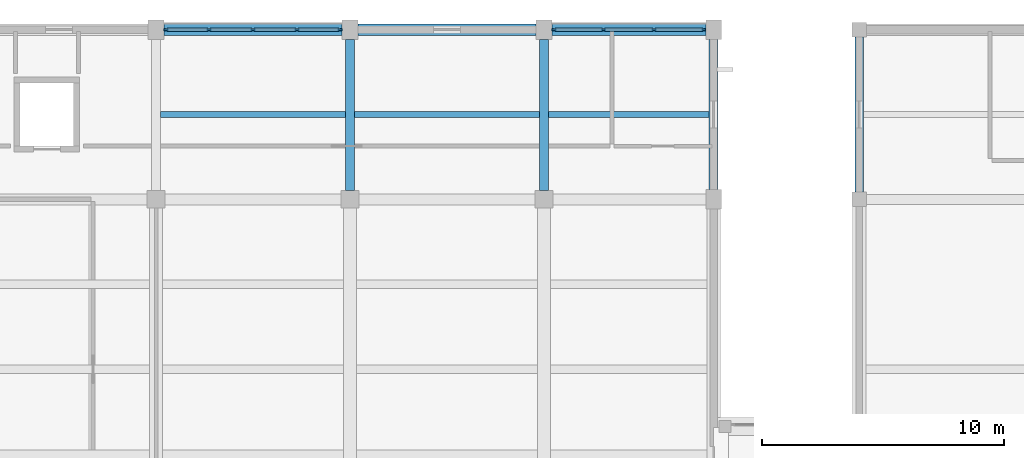
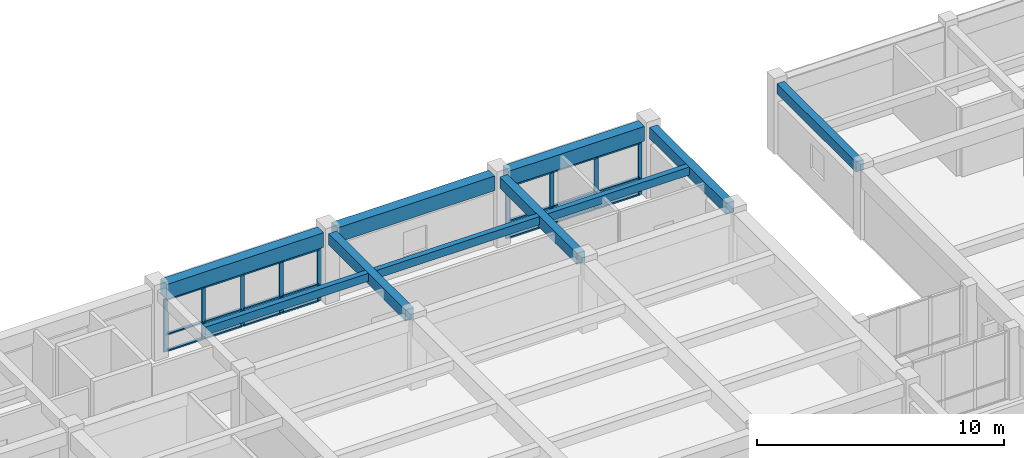
# One storey, part 15 of 42: 30 members, 10 beams, 2 elements without a shape of their own.
"""IFC4 building model written with IfcOpenShell, lengths in metres."""

from ifc_helpers import new_model, si_unit, direction, frame, origin, origin_2d, place, context, subcontext, project, spatial, rectangle, extrude, material, layer, layer_set, material_profile, profile_set, type_object, element, aggregate, save


model = new_model("IFC4")

# Units and contexts
model_context = context("Model", 3, precision=1e-05, world=origin(), true_north=direction((0.0, 1.0)))
body_context = subcontext(model_context, "Body", "Model", "MODEL_VIEW")
ifc_project = project(units=[si_unit("LENGTHUNIT", "METRE"), si_unit("AREAUNIT", "SQUARE_METRE"), si_unit("VOLUMEUNIT", "CUBIC_METRE"), si_unit("PLANEANGLEUNIT", "RADIAN"), si_unit("MASSUNIT", "GRAM", prefix="KILO")], contexts=[model_context])

# Site, building, storey
site_placement = place(None, origin())
site = spatial("IfcSite", under=ifc_project, at=site_placement, CompositionType="ELEMENT")
building_placement = place(site_placement, origin())
building = spatial("IfcBuilding", under=site, at=building_placement, Name="Naurynzar Civic Courthouse", CompositionType="ELEMENT")
storey_placement = place(building_placement, frame((0.0, 0.0, 18.300048828125)))
storey = spatial("IfcBuildingStorey", under=building, at=storey_placement, Name="L05", CompositionType="ELEMENT", Elevation=18.300048828125)

# Beams
ifc_material_1 = material(Name="Concrete C40/50", Category="concrete")
ifc_material_profile_1 = material_profile(ifc_material_1, rectangle(XDim=0.25, YDim=0.39990234375, at=origin_2d()), Name="RCB 250x400")
ifc_profile_set_1 = profile_set([ifc_material_profile_1], Name="Concrete C40/50")
beam_type_1 = type_object("IfcBeamType", Name="BM-JST-250x400", PredefinedType="JOIST", material=ifc_profile_set_1)
for number, where, z_axis, x_axis, name in (
    (1, (101.1875, 68.5, 3.27001953125), (1.0, 0.0, 0.0), (0.0, 1.0, 0.0), "V2 secondary rib 833 L05"),
    (2, (109.1875, 68.5, 3.27001953125), (1.0, 0.0, 0.0), (0.0, 1.0, 0.0), "V2 secondary rib 834 L05"),
):
    element("IfcBeam", number, at=place(storey_placement, frame(where, z_axis=z_axis, x_axis=x_axis)), inside=storey, type_object=beam_type_1, Name=name, PredefinedType="JOIST", context=body_context, shape_type="SweptSolid", body=[
        extrude(rectangle(XDim=0.25, YDim=0.39990234375, at=origin_2d()), origin(), (0.0, 0.0, 1.0), 7.625),
    ])
beam_1_placement = place(storey_placement, frame((117.1875, 68.5, 3.27001953125), z_axis=(1.0, 0.0, 0.0), x_axis=(0.0, 1.0, 0.0)))
element("IfcBeam", 3, at=beam_1_placement, inside=storey, type_object=beam_type_1, Name="V2 secondary rib 835 L05", PredefinedType="JOIST", context=body_context, shape_type="SweptSolid", body=[
    extrude(rectangle(XDim=0.25, YDim=0.39990234375, at=origin_2d()), origin(), (0.0, 0.0, 1.0), 6.625),
])
ifc_material_2 = material(Name="Concrete C40/50", Category="concrete")
ifc_material_profile_2 = material_profile(ifc_material_2, rectangle(XDim=0.35009765625, YDim=0.5, at=origin_2d()), Name="RCB 350x500")
ifc_profile_set_2 = profile_set([ifc_material_profile_2], Name="Concrete C40/50")
beam_type_2 = type_object("IfcBeamType", Name="BM-RC-350x500", PredefinedType="BEAM", material=ifc_profile_set_2)
beam_2_placement = place(storey_placement, frame((130.0, 65.300048828125, 3.219970703125), z_axis=(0.0, 1.0, 0.0), x_axis=(-1.0, 0.0, 0.0)))
element("IfcBeam", 4, at=beam_2_placement, inside=storey, type_object=beam_type_2, Name="V5 girder Y-2670 L05", PredefinedType="BEAM", context=body_context, shape_type="SweptSolid", body=[
    extrude(rectangle(XDim=0.35009765625, YDim=0.5, at=origin_2d()), origin(), (0.0, 0.0, 1.0), 6.39990234375),
])
ifc_material_3 = material(Name="Concrete C40/50", Category="concrete")
ifc_material_profile_3 = material_profile(ifc_material_3, rectangle(XDim=0.375, YDim=0.550048828125, at=origin_2d()), Name="RCB 375x550")
ifc_profile_set_3 = profile_set([ifc_material_profile_3], Name="Concrete C40/50")
beam_type_3 = type_object("IfcBeamType", Name="BM-RC-375x550", PredefinedType="BEAM", material=ifc_profile_set_3)
for number, where, z_axis, x_axis, name in (
    (5, (109.0, 65.362548828125, 3.195068359375), (0.0, 1.0, 0.0), (-1.0, 0.0, 0.0), "V2 girder Y-794 L05"),
    (6, (117.0, 65.362548828125, 3.195068359375), (0.0, 1.0, 0.0), (-1.0, 0.0, 0.0), "V2 girder Y-797 L05"),
):
    element("IfcBeam", number, at=place(storey_placement, frame(where, z_axis=z_axis, x_axis=x_axis)), inside=storey, type_object=beam_type_3, Name=name, PredefinedType="BEAM", context=body_context, shape_type="SweptSolid", body=[
        extrude(rectangle(XDim=0.375, YDim=0.550048828125, at=origin_2d()), origin(), (0.0, 0.0, 1.0), 6.237548828125),
    ])
beam_3_placement = place(storey_placement, frame((124.0, 65.39990234375, 3.195068359375), z_axis=(0.0, 1.0, 0.0), x_axis=(-1.0, 0.0, 0.0)))
element("IfcBeam", 7, at=beam_3_placement, inside=storey, type_object=beam_type_3, Name="V2 girder Y-800 L05", PredefinedType="BEAM", context=body_context, shape_type="SweptSolid", body=[
    extrude(rectangle(XDim=0.375, YDim=0.550048828125, at=origin_2d()), origin(), (0.0, 0.0, 1.0), 6.2001953125),
])
ifc_material_4 = material(Name="Concrete C40/50", Category="concrete")
ifc_material_profile_4 = material_profile(ifc_material_4, rectangle(XDim=0.47509765625, YDim=0.72509765625, at=origin_2d()), Name="RCB 475x725")
ifc_profile_set_4 = profile_set([ifc_material_profile_4], Name="Concrete C40/50")
beam_type_4 = type_object("IfcBeamType", Name="BM-RC-475x725", PredefinedType="SPANDREL", material=ifc_profile_set_4)
for number, where, z_axis, x_axis, name in (
    (8, (101.324951171875, 72.0, 3.107421875), (1.0, 0.0, 0.0), (0.0, 1.0, 0.0), "V2 beam X-771 L05"),
    (9, (109.324951171875, 72.0, 3.107421875), (1.0, 0.0, 0.0), (0.0, 1.0, 0.0), "V2 beam X-772 L05"),
):
    element("IfcBeam", number, at=place(storey_placement, frame(where, z_axis=z_axis, x_axis=x_axis)), inside=storey, type_object=beam_type_4, Name=name, PredefinedType="SPANDREL", context=body_context, shape_type="SweptSolid", body=[
        extrude(rectangle(XDim=0.47509765625, YDim=0.72509765625, at=origin_2d()), origin(), (0.0, 0.0, 1.0), 7.35009765625),
    ])
beam_4_placement = place(storey_placement, frame((117.324951171875, 72.0, 3.107421875), z_axis=(1.0, 0.0, 0.0), x_axis=(0.0, 1.0, 0.0)))
element("IfcBeam", 10, at=beam_4_placement, inside=storey, type_object=beam_type_4, Name="V2 beam X-773 L05", PredefinedType="SPANDREL", context=body_context, shape_type="SweptSolid", body=[
    extrude(rectangle(XDim=0.47509765625, YDim=0.72509765625, at=origin_2d()), origin(), (0.0, 0.0, 1.0), 6.35009765625),
])

# Curtain wall, members
ifc_material_5 = material(Name="Aluminium 6063-T6", Category="aluminium")
ifc_layer = layer(ifc_material_5, 0.159912109375)
ifc_layer_set = layer_set([ifc_layer], Name="CW-UNIT-1800")
curtain_wall_type = type_object("IfcCurtainWallType", Name="CW-UNIT-1800", PredefinedType="NOTDEFINED", material=ifc_layer_set)
curtain_wall_1_placement = place(storey_placement, origin())
curtain_wall_1 = element("IfcCurtainWall", 11, at=curtain_wall_1_placement, inside=storey, type_object=curtain_wall_type, Name="V2 unitised curtain wall 38 L05", PredefinedType="NOTDEFINED")
ifc_material_6 = material(Name="Aluminium 6063-T6", Category="aluminium")
ifc_material_profile_5 = material_profile(ifc_material_6, rectangle(XDim=0.070068359375, YDim=0.179931640625, at=origin_2d()), Name="ALU MULLION 70x180")
ifc_profile_set_5 = profile_set([ifc_material_profile_5], Name="Aluminium 6063-T6")
member_type_1 = type_object("IfcMemberType", Name="CWM-70x180", PredefinedType="MULLION", material=ifc_profile_set_5)
member_1_placement = place(storey_placement, frame((101.409912109375, 72.0, 0.0), z_axis=(0.0, 0.0, 1.0), x_axis=(0.0, 1.0, 0.0)))
member_1 = element("IfcMember", 12, at=member_1_placement, type_object=member_type_1, Name="CW-02 mullion 1", PredefinedType="MULLION", context=body_context, shape_type="SweptSolid", body=[
    extrude(rectangle(XDim=0.070068359375, YDim=0.179931640625, at=origin_2d()), origin(), (0.0, 0.0, 1.0), 2.599853515625),
])
member_2_placement = place(storey_placement, frame((103.1875, 72.0, 0.0), z_axis=(0.0, 0.0, 1.0), x_axis=(0.0, 1.0, 0.0)))
member_2 = element("IfcMember", 13, at=member_2_placement, type_object=member_type_1, Name="CW-02 mullion 2", PredefinedType="MULLION", context=body_context, shape_type="SweptSolid", body=[
    extrude(rectangle(XDim=0.070068359375, YDim=0.179931640625, at=origin_2d()), origin(), (0.0, 0.0, 1.0), 2.599853515625),
])
member_3_placement = place(storey_placement, frame((105.0, 72.0, 0.0), z_axis=(0.0, 0.0, 1.0), x_axis=(0.0, 1.0, 0.0)))
member_3 = element("IfcMember", 14, at=member_3_placement, type_object=member_type_1, Name="CW-02 mullion 3", PredefinedType="MULLION", context=body_context, shape_type="SweptSolid", body=[
    extrude(rectangle(XDim=0.070068359375, YDim=0.179931640625, at=origin_2d()), origin(), (0.0, 0.0, 1.0), 2.599853515625),
])
member_4_placement = place(storey_placement, frame((106.8125, 72.0, 0.0), z_axis=(0.0, 0.0, 1.0), x_axis=(0.0, 1.0, 0.0)))
member_4 = element("IfcMember", 15, at=member_4_placement, type_object=member_type_1, Name="CW-02 mullion 4", PredefinedType="MULLION", context=body_context, shape_type="SweptSolid", body=[
    extrude(rectangle(XDim=0.070068359375, YDim=0.179931640625, at=origin_2d()), origin(), (0.0, 0.0, 1.0), 2.599853515625),
])
member_5_placement = place(storey_placement, frame((108.590087890625, 72.0, 0.0), z_axis=(0.0, 0.0, 1.0), x_axis=(0.0, 1.0, 0.0)))
member_5 = element("IfcMember", 16, at=member_5_placement, type_object=member_type_1, Name="CW-02 mullion 5", PredefinedType="MULLION", context=body_context, shape_type="SweptSolid", body=[
    extrude(rectangle(XDim=0.070068359375, YDim=0.179931640625, at=origin_2d()), origin(), (0.0, 0.0, 1.0), 2.599853515625),
])

curtain_wall_2_placement = place(storey_placement, origin())
curtain_wall_2 = element("IfcCurtainWall", 17, at=curtain_wall_2_placement, inside=storey, type_object=curtain_wall_type, Name="V2 unitised curtain wall 39 L05", PredefinedType="NOTDEFINED")
member_6_placement = place(storey_placement, frame((117.409912109375, 72.0, 0.0), z_axis=(0.0, 0.0, 1.0), x_axis=(0.0, 1.0, 0.0)))
member_6 = element("IfcMember", 18, at=member_6_placement, type_object=member_type_1, Name="CW-02 mullion 1", PredefinedType="MULLION", context=body_context, shape_type="SweptSolid", body=[
    extrude(rectangle(XDim=0.070068359375, YDim=0.179931640625, at=origin_2d()), origin(), (0.0, 0.0, 1.0), 2.599853515625),
])
member_7_placement = place(storey_placement, frame((119.458251953125, 72.0, 0.0), z_axis=(0.0, 0.0, 1.0), x_axis=(0.0, 1.0, 0.0)))
member_7 = element("IfcMember", 19, at=member_7_placement, type_object=member_type_1, Name="CW-02 mullion 2", PredefinedType="MULLION", context=body_context, shape_type="SweptSolid", body=[
    extrude(rectangle(XDim=0.070068359375, YDim=0.179931640625, at=origin_2d()), origin(), (0.0, 0.0, 1.0), 2.599853515625),
])
member_8_placement = place(storey_placement, frame((121.541748046875, 72.0, 0.0), z_axis=(0.0, 0.0, 1.0), x_axis=(0.0, 1.0, 0.0)))
member_8 = element("IfcMember", 20, at=member_8_placement, type_object=member_type_1, Name="CW-02 mullion 3", PredefinedType="MULLION", context=body_context, shape_type="SweptSolid", body=[
    extrude(rectangle(XDim=0.070068359375, YDim=0.179931640625, at=origin_2d()), origin(), (0.0, 0.0, 1.0), 2.599853515625),
])
member_9_placement = place(storey_placement, frame((123.590087890625, 72.0, 0.0), z_axis=(0.0, 0.0, 1.0), x_axis=(0.0, 1.0, 0.0)))
member_9 = element("IfcMember", 21, at=member_9_placement, type_object=member_type_1, Name="CW-02 mullion 4", PredefinedType="MULLION", context=body_context, shape_type="SweptSolid", body=[
    extrude(rectangle(XDim=0.070068359375, YDim=0.179931640625, at=origin_2d()), origin(), (0.0, 0.0, 1.0), 2.599853515625),
])

# Member
ifc_material_7 = material(Name="Aluminium 6063-T6", Category="aluminium")
ifc_material_profile_6 = material_profile(ifc_material_7, rectangle(XDim=0.1298828125, YDim=0.070068359375, at=origin_2d()), Name="ALU TRANSOM 70x130")
ifc_profile_set_6 = profile_set([ifc_material_profile_6], Name="Aluminium 6063-T6")
member_type_2 = type_object("IfcMemberType", Name="CWT-70x130", PredefinedType="USERDEFINED", material=ifc_profile_set_6)
member_10_placement = place(storey_placement, frame((101.445068359375, 72.0, 0.034912109375), z_axis=(1.0, 0.0, 0.0), x_axis=(0.0, 1.0, 0.0)))
member_10 = element("IfcMember", 22, at=member_10_placement, type_object=member_type_2, Name="CW-02 transom 1.1", ObjectType="TRANSOM", PredefinedType="USERDEFINED", context=body_context, shape_type="SweptSolid", body=[
    extrude(rectangle(XDim=0.1298828125, YDim=0.070068359375, at=origin_2d()), origin(), (0.0, 0.0, 1.0), 1.70751953125),
])

member_11_placement = place(storey_placement, frame((101.445068359375, 72.0, 0.849853515625), z_axis=(1.0, 0.0, 0.0), x_axis=(0.0, 1.0, 0.0)))
member_11 = element("IfcMember", 23, at=member_11_placement, type_object=member_type_2, Name="CW-02 transom 1.2", ObjectType="TRANSOM", PredefinedType="USERDEFINED", context=body_context, shape_type="SweptSolid", body=[
    extrude(rectangle(XDim=0.1298828125, YDim=0.070068359375, at=origin_2d()), origin(), (0.0, 0.0, 1.0), 1.70751953125),
])

member_12_placement = place(storey_placement, frame((101.445068359375, 72.0, 2.56494140625), z_axis=(1.0, 0.0, 0.0), x_axis=(0.0, 1.0, 0.0)))
member_12 = element("IfcMember", 24, at=member_12_placement, type_object=member_type_2, Name="CW-02 transom 1.3", ObjectType="TRANSOM", PredefinedType="USERDEFINED", context=body_context, shape_type="SweptSolid", body=[
    extrude(rectangle(XDim=0.1298828125, YDim=0.070068359375, at=origin_2d()), origin(), (0.0, 0.0, 1.0), 1.70751953125),
])

member_13_placement = place(storey_placement, frame((103.222412109375, 72.0, 0.034912109375), z_axis=(1.0, 0.0, 0.0), x_axis=(0.0, 1.0, 0.0)))
member_13 = element("IfcMember", 25, at=member_13_placement, type_object=member_type_2, Name="CW-02 transom 2.1", ObjectType="TRANSOM", PredefinedType="USERDEFINED", context=body_context, shape_type="SweptSolid", body=[
    extrude(rectangle(XDim=0.1298828125, YDim=0.070068359375, at=origin_2d()), origin(), (0.0, 0.0, 1.0), 1.74267578125),
])

member_14_placement = place(storey_placement, frame((103.222412109375, 72.0, 0.849853515625), z_axis=(1.0, 0.0, 0.0), x_axis=(0.0, 1.0, 0.0)))
member_14 = element("IfcMember", 26, at=member_14_placement, type_object=member_type_2, Name="CW-02 transom 2.2", ObjectType="TRANSOM", PredefinedType="USERDEFINED", context=body_context, shape_type="SweptSolid", body=[
    extrude(rectangle(XDim=0.1298828125, YDim=0.070068359375, at=origin_2d()), origin(), (0.0, 0.0, 1.0), 1.74267578125),
])

member_15_placement = place(storey_placement, frame((103.222412109375, 72.0, 2.56494140625), z_axis=(1.0, 0.0, 0.0), x_axis=(0.0, 1.0, 0.0)))
member_15 = element("IfcMember", 27, at=member_15_placement, type_object=member_type_2, Name="CW-02 transom 2.3", ObjectType="TRANSOM", PredefinedType="USERDEFINED", context=body_context, shape_type="SweptSolid", body=[
    extrude(rectangle(XDim=0.1298828125, YDim=0.070068359375, at=origin_2d()), origin(), (0.0, 0.0, 1.0), 1.74267578125),
])

member_16_placement = place(storey_placement, frame((105.034912109375, 72.0, 0.034912109375), z_axis=(1.0, 0.0, 0.0), x_axis=(0.0, 1.0, 0.0)))
member_16 = element("IfcMember", 28, at=member_16_placement, type_object=member_type_2, Name="CW-02 transom 3.1", ObjectType="TRANSOM", PredefinedType="USERDEFINED", context=body_context, shape_type="SweptSolid", body=[
    extrude(rectangle(XDim=0.1298828125, YDim=0.070068359375, at=origin_2d()), origin(), (0.0, 0.0, 1.0), 1.74267578125),
])

member_17_placement = place(storey_placement, frame((105.034912109375, 72.0, 0.849853515625), z_axis=(1.0, 0.0, 0.0), x_axis=(0.0, 1.0, 0.0)))
member_17 = element("IfcMember", 29, at=member_17_placement, type_object=member_type_2, Name="CW-02 transom 3.2", ObjectType="TRANSOM", PredefinedType="USERDEFINED", context=body_context, shape_type="SweptSolid", body=[
    extrude(rectangle(XDim=0.1298828125, YDim=0.070068359375, at=origin_2d()), origin(), (0.0, 0.0, 1.0), 1.74267578125),
])

member_18_placement = place(storey_placement, frame((105.034912109375, 72.0, 2.56494140625), z_axis=(1.0, 0.0, 0.0), x_axis=(0.0, 1.0, 0.0)))
member_18 = element("IfcMember", 30, at=member_18_placement, type_object=member_type_2, Name="CW-02 transom 3.3", ObjectType="TRANSOM", PredefinedType="USERDEFINED", context=body_context, shape_type="SweptSolid", body=[
    extrude(rectangle(XDim=0.1298828125, YDim=0.070068359375, at=origin_2d()), origin(), (0.0, 0.0, 1.0), 1.74267578125),
])

member_19_placement = place(storey_placement, frame((106.847412109375, 72.0, 0.034912109375), z_axis=(1.0, 0.0, 0.0), x_axis=(0.0, 1.0, 0.0)))
member_19 = element("IfcMember", 31, at=member_19_placement, type_object=member_type_2, Name="CW-02 transom 4.1", ObjectType="TRANSOM", PredefinedType="USERDEFINED", context=body_context, shape_type="SweptSolid", body=[
    extrude(rectangle(XDim=0.1298828125, YDim=0.070068359375, at=origin_2d()), origin(), (0.0, 0.0, 1.0), 1.70751953125),
])

member_20_placement = place(storey_placement, frame((106.847412109375, 72.0, 0.849853515625), z_axis=(1.0, 0.0, 0.0), x_axis=(0.0, 1.0, 0.0)))
member_20 = element("IfcMember", 32, at=member_20_placement, type_object=member_type_2, Name="CW-02 transom 4.2", ObjectType="TRANSOM", PredefinedType="USERDEFINED", context=body_context, shape_type="SweptSolid", body=[
    extrude(rectangle(XDim=0.1298828125, YDim=0.070068359375, at=origin_2d()), origin(), (0.0, 0.0, 1.0), 1.70751953125),
])

member_21_placement = place(storey_placement, frame((106.847412109375, 72.0, 2.56494140625), z_axis=(1.0, 0.0, 0.0), x_axis=(0.0, 1.0, 0.0)))
member_21 = element("IfcMember", 33, at=member_21_placement, type_object=member_type_2, Name="CW-02 transom 4.3", ObjectType="TRANSOM", PredefinedType="USERDEFINED", context=body_context, shape_type="SweptSolid", body=[
    extrude(rectangle(XDim=0.1298828125, YDim=0.070068359375, at=origin_2d()), origin(), (0.0, 0.0, 1.0), 1.70751953125),
])

aggregate(curtain_wall_1, [member_1, member_2, member_3, member_4, member_5, member_10, member_11, member_12, member_13, member_14, member_15, member_16, member_17, member_18, member_19, member_20, member_21])

member_22_placement = place(storey_placement, frame((117.445068359375, 72.0, 0.034912109375), z_axis=(1.0, 0.0, 0.0), x_axis=(0.0, 1.0, 0.0)))
member_22 = element("IfcMember", 34, at=member_22_placement, type_object=member_type_2, Name="CW-02 transom 1.1", ObjectType="TRANSOM", PredefinedType="USERDEFINED", context=body_context, shape_type="SweptSolid", body=[
    extrude(rectangle(XDim=0.1298828125, YDim=0.070068359375, at=origin_2d()), origin(), (0.0, 0.0, 1.0), 1.978271484375),
])

member_23_placement = place(storey_placement, frame((117.445068359375, 72.0, 0.849853515625), z_axis=(1.0, 0.0, 0.0), x_axis=(0.0, 1.0, 0.0)))
member_23 = element("IfcMember", 35, at=member_23_placement, type_object=member_type_2, Name="CW-02 transom 1.2", ObjectType="TRANSOM", PredefinedType="USERDEFINED", context=body_context, shape_type="SweptSolid", body=[
    extrude(rectangle(XDim=0.1298828125, YDim=0.070068359375, at=origin_2d()), origin(), (0.0, 0.0, 1.0), 1.978271484375),
])

member_24_placement = place(storey_placement, frame((117.445068359375, 72.0, 2.56494140625), z_axis=(1.0, 0.0, 0.0), x_axis=(0.0, 1.0, 0.0)))
member_24 = element("IfcMember", 36, at=member_24_placement, type_object=member_type_2, Name="CW-02 transom 1.3", ObjectType="TRANSOM", PredefinedType="USERDEFINED", context=body_context, shape_type="SweptSolid", body=[
    extrude(rectangle(XDim=0.1298828125, YDim=0.070068359375, at=origin_2d()), origin(), (0.0, 0.0, 1.0), 1.978271484375),
])

member_25_placement = place(storey_placement, frame((119.493408203125, 72.0, 0.034912109375), z_axis=(1.0, 0.0, 0.0), x_axis=(0.0, 1.0, 0.0)))
member_25 = element("IfcMember", 37, at=member_25_placement, type_object=member_type_2, Name="CW-02 transom 2.1", ObjectType="TRANSOM", PredefinedType="USERDEFINED", context=body_context, shape_type="SweptSolid", body=[
    extrude(rectangle(XDim=0.1298828125, YDim=0.070068359375, at=origin_2d()), origin(), (0.0, 0.0, 1.0), 2.01318359375),
])

member_26_placement = place(storey_placement, frame((119.493408203125, 72.0, 0.849853515625), z_axis=(1.0, 0.0, 0.0), x_axis=(0.0, 1.0, 0.0)))
member_26 = element("IfcMember", 38, at=member_26_placement, type_object=member_type_2, Name="CW-02 transom 2.2", ObjectType="TRANSOM", PredefinedType="USERDEFINED", context=body_context, shape_type="SweptSolid", body=[
    extrude(rectangle(XDim=0.1298828125, YDim=0.070068359375, at=origin_2d()), origin(), (0.0, 0.0, 1.0), 2.01318359375),
])

member_27_placement = place(storey_placement, frame((119.493408203125, 72.0, 2.56494140625), z_axis=(1.0, 0.0, 0.0), x_axis=(0.0, 1.0, 0.0)))
member_27 = element("IfcMember", 39, at=member_27_placement, type_object=member_type_2, Name="CW-02 transom 2.3", ObjectType="TRANSOM", PredefinedType="USERDEFINED", context=body_context, shape_type="SweptSolid", body=[
    extrude(rectangle(XDim=0.1298828125, YDim=0.070068359375, at=origin_2d()), origin(), (0.0, 0.0, 1.0), 2.01318359375),
])

member_28_placement = place(storey_placement, frame((121.57666015625, 72.0, 0.034912109375), z_axis=(1.0, 0.0, 0.0), x_axis=(0.0, 1.0, 0.0)))
member_28 = element("IfcMember", 40, at=member_28_placement, type_object=member_type_2, Name="CW-02 transom 3.1", ObjectType="TRANSOM", PredefinedType="USERDEFINED", context=body_context, shape_type="SweptSolid", body=[
    extrude(rectangle(XDim=0.1298828125, YDim=0.070068359375, at=origin_2d()), origin(), (0.0, 0.0, 1.0), 1.978271484375),
])

member_29_placement = place(storey_placement, frame((121.57666015625, 72.0, 0.849853515625), z_axis=(1.0, 0.0, 0.0), x_axis=(0.0, 1.0, 0.0)))
member_29 = element("IfcMember", 41, at=member_29_placement, type_object=member_type_2, Name="CW-02 transom 3.2", ObjectType="TRANSOM", PredefinedType="USERDEFINED", context=body_context, shape_type="SweptSolid", body=[
    extrude(rectangle(XDim=0.1298828125, YDim=0.070068359375, at=origin_2d()), origin(), (0.0, 0.0, 1.0), 1.978271484375),
])

member_30_placement = place(storey_placement, frame((121.57666015625, 72.0, 2.56494140625), z_axis=(1.0, 0.0, 0.0), x_axis=(0.0, 1.0, 0.0)))
member_30 = element("IfcMember", 42, at=member_30_placement, type_object=member_type_2, Name="CW-02 transom 3.3", ObjectType="TRANSOM", PredefinedType="USERDEFINED", context=body_context, shape_type="SweptSolid", body=[
    extrude(rectangle(XDim=0.1298828125, YDim=0.070068359375, at=origin_2d()), origin(), (0.0, 0.0, 1.0), 1.978271484375),
])

aggregate(curtain_wall_2, [member_6, member_7, member_8, member_9, member_22, member_23, member_24, member_25, member_26, member_27, member_28, member_29, member_30])

save(model, "model.ifc")
